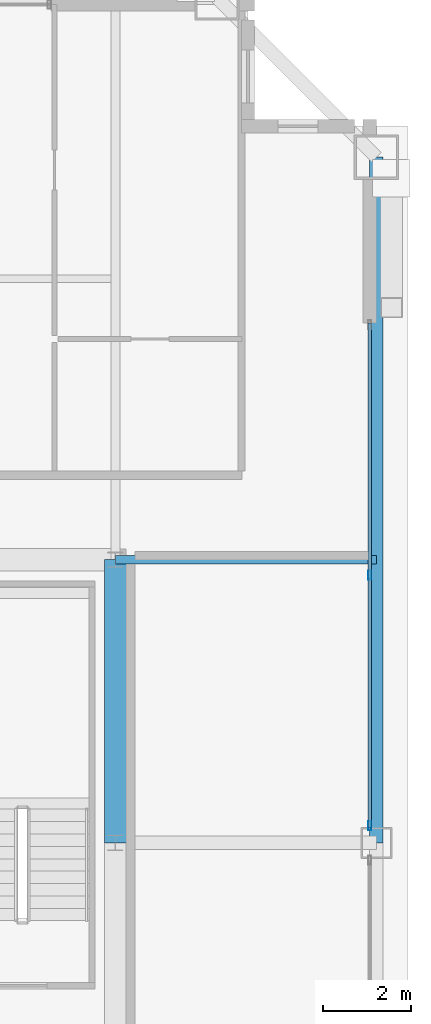
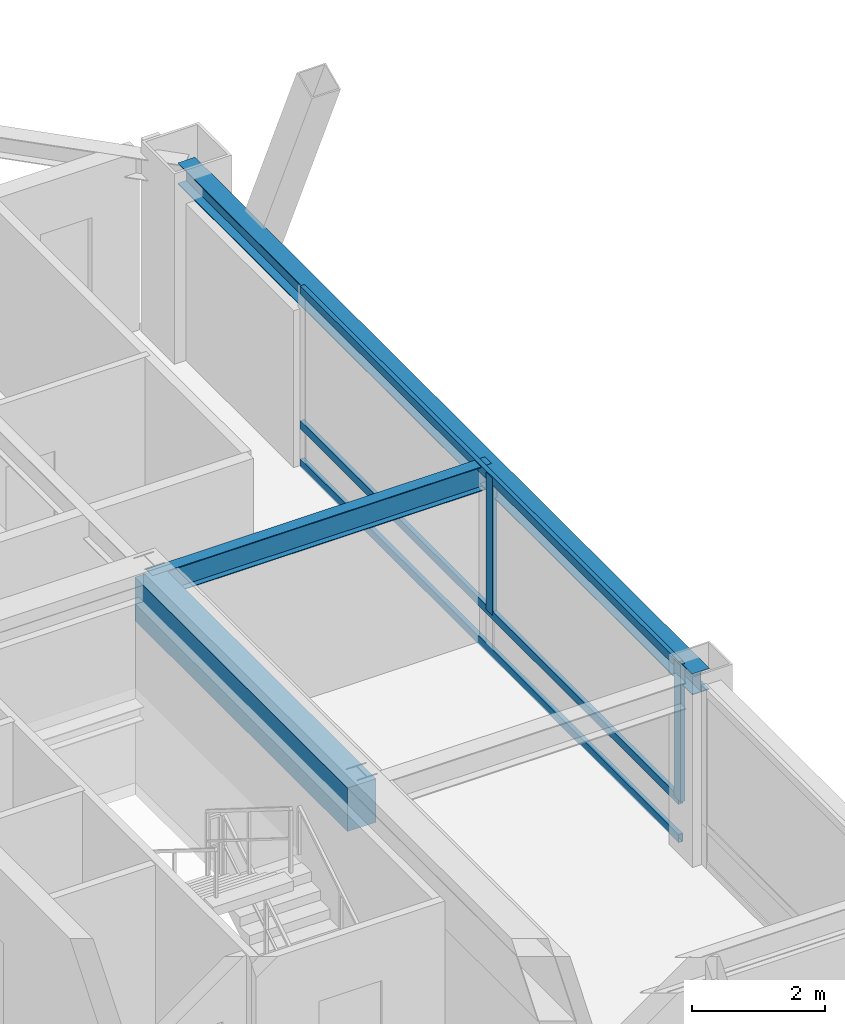
# One storey, part 14 of 35: 5 members, 3 beams, 1 element without a shape of its own.
"""IFC4 building model written with IfcOpenShell, lengths in metres."""

import ifcopenshell
import ifcopenshell.guid

model = None  # the IFC model being written
_history = None  # IfcOwnerHistory: only IFC2X3 demands one
_inside = {}  # id of a spatial element -> (the spatial element, [elements in it])
_under = {}  # id of a project, library or spatial element -> (it, [spatial elements below it])
_declared = {}  # id of a project -> (the project, [libraries it declares])
_typed = {}  # id of a type object -> (the type object, [elements of that type])
_made_of = {}  # id of a material, layer set ... -> (it, [elements and type objects made of it])


def new_model(schema):
    """Start an empty IFC model of exactly this schema.

    Asked for "IFC4X3", IfcOpenShell would pick the latest addendum, in which some entities
    have other attributes; the version numbers below select the first issue.
    IFC2X3 requires an IfcOwnerHistory on every rooted entity: one is made here for all.
    """
    global model, _history
    if schema == "IFC4X3":
        model = ifcopenshell.file(schema_version=(4, 3, 0, 0))
    else:
        model = ifcopenshell.file(schema=schema)
    _inside.clear()
    _under.clear()
    _declared.clear()
    _typed.clear()
    _made_of.clear()
    _history = None
    if model.schema == "IFC2X3":
        org = make("IfcOrganization", Name="unknown")
        user = make(
            "IfcPersonAndOrganization",
            ThePerson=make("IfcPerson", FamilyName="unknown"),
            TheOrganization=org,
        )
        app = make(
            "IfcApplication",
            ApplicationDeveloper=org,
            Version="unknown",
            ApplicationFullName="unknown",
            ApplicationIdentifier="unknown",
        )
        _history = make(
            "IfcOwnerHistory",
            OwningUser=user,
            OwningApplication=app,
            ChangeAction="ADDED",
            CreationDate=0,
        )
    return model


def make(cls, **values):
    """One entity of the class cls with the attributes given. An attribute that is None is left unset."""
    return model.create_entity(
        cls, **{name: value for name, value in values.items() if value is not None}
    )


def rooted(cls, **values):
    """An entity with a GlobalId (a new one), such as an element, a storey or a relation."""
    return make(cls, GlobalId=ifcopenshell.guid.new(), OwnerHistory=_history, **values)


def si_unit(unit_type, name, prefix=None):
    """IfcSIUnit, for example si_unit("LENGTHUNIT", "METRE", prefix="MILLI")."""
    return make("IfcSIUnit", UnitType=unit_type, Prefix=prefix, Name=name)


def assignment(units):
    """IfcUnitAssignment: the units of a project."""
    return None if units is None else make("IfcUnitAssignment", Units=units)


def point(xyz):
    """IfcCartesianPoint."""
    return None if xyz is None else make("IfcCartesianPoint", Coordinates=xyz)


def direction(xyz):
    """IfcDirection."""
    return None if xyz is None else make("IfcDirection", DirectionRatios=xyz)


def frame(location, z_axis=None, x_axis=None):
    """IfcAxis2Placement3D, a coordinate frame: its origin and axes. An axis left out is left unset."""
    return make(
        "IfcAxis2Placement3D",
        Location=point(location),
        Axis=direction(z_axis),
        RefDirection=direction(x_axis),
    )


def frame_2d(location, x_axis=None):
    """IfcAxis2Placement2D, a coordinate frame in the plane: its origin and x axis."""
    return make(
        "IfcAxis2Placement2D", Location=point(location), RefDirection=direction(x_axis)
    )


def origin():
    """The frame at (0, 0, 0) with its axes left unset."""
    return frame((0.0, 0.0, 0.0))


def origin_2d():
    """The frame at (0, 0) in the plane with its x axis left unset."""
    return frame_2d((0.0, 0.0))


def place(relative_to, where):
    """IfcLocalPlacement: puts the frame where relative to a parent placement (None: the world)."""
    return make(
        "IfcLocalPlacement", PlacementRelTo=relative_to, RelativePlacement=where
    )


def context(
    kind, dimensions, precision=None, world=None, true_north=None, identifier=None
):
    """IfcGeometricRepresentationContext, for example the 3D "Model" context."""
    return make(
        "IfcGeometricRepresentationContext",
        ContextIdentifier=identifier,
        ContextType=kind,
        CoordinateSpaceDimension=dimensions,
        Precision=precision,
        WorldCoordinateSystem=world,
        TrueNorth=true_north,
    )


def subcontext(parent, identifier, kind, view, scale=None):
    """IfcGeometricRepresentationSubContext, for example "Body" below "Model"."""
    return make(
        "IfcGeometricRepresentationSubContext",
        ContextIdentifier=identifier,
        ContextType=kind,
        ParentContext=parent,
        TargetScale=scale,
        TargetView=view,
    )


def project(units=None, contexts=None):
    """IfcProject with its units and contexts."""
    return rooted(
        "IfcProject",
        Name="project",
        RepresentationContexts=contexts,
        UnitsInContext=assignment(units),
    )


def spatial(cls, under=None, at=None, **own):
    """A site, building, storey or space (cls), placed at a placement, below another one or the project."""
    s = rooted(cls, ObjectPlacement=at, **own)
    if under is not None:
        _under.setdefault(under.id(), (under, []))[1].append(s)
    return s


def profile(cls, at=None, kind="AREA", **sizes):
    """A parametric profile (cls). Its sizes go by their IFC names, for example OverallWidth=200.0."""
    return make(cls, ProfileType=kind, Position=at, **sizes)


def rectangle(**sizes):
    """IfcRectangleProfileDef."""
    return profile("IfcRectangleProfileDef", **sizes)


def hollow_rectangle(**sizes):
    """IfcRectangleHollowProfileDef."""
    return profile("IfcRectangleHollowProfileDef", **sizes)


def i_section(**sizes):
    """IfcIShapeProfileDef."""
    return profile("IfcIShapeProfileDef", **sizes)


def extrude(swept, where, along, depth):
    """IfcExtrudedAreaSolid: the profile swept, set in the frame where, extruded along a direction by depth."""
    return make(
        "IfcExtrudedAreaSolid",
        SweptArea=swept,
        Position=where,
        ExtrudedDirection=direction(along),
        Depth=depth,
    )


def shape(context_of_items, identifier, shape_type, items):
    """IfcShapeRepresentation: the items that make up one representation, for example the "Body"."""
    return make(
        "IfcShapeRepresentation",
        ContextOfItems=context_of_items,
        RepresentationIdentifier=identifier,
        RepresentationType=shape_type,
        Items=items,
    )


def source(mapping_origin, context_of_items, identifier, shape_type, items):
    """IfcRepresentationMap: a shape defined once, which mapped items show again and again."""
    return make(
        "IfcRepresentationMap",
        MappingOrigin=mapping_origin,
        MappedRepresentation=shape(context_of_items, identifier, shape_type, items),
    )


def transform(
    local_origin,
    x_axis=None,
    y_axis=None,
    z_axis=None,
    scale=None,
    scale2=None,
    scale3=None,
    uniform=True,
):
    """IfcCartesianTransformationOperator3D, or its non-uniform kind. x_axis, y_axis, z_axis: its Axis1, 2, 3."""
    if uniform:
        return make(
            "IfcCartesianTransformationOperator3D",
            Axis1=direction(x_axis),
            Axis2=direction(y_axis),
            LocalOrigin=point(local_origin),
            Scale=scale,
            Axis3=direction(z_axis),
        )
    return make(
        "IfcCartesianTransformationOperator3DnonUniform",
        Axis1=direction(x_axis),
        Axis2=direction(y_axis),
        LocalOrigin=point(local_origin),
        Scale=scale,
        Axis3=direction(z_axis),
        Scale2=scale2,
        Scale3=scale3,
    )


def mapped(mapping_source, mapping_target):
    """IfcMappedItem: shows the shape of a source again, moved by a transform."""
    return make(
        "IfcMappedItem", MappingSource=mapping_source, MappingTarget=mapping_target
    )


def material(Name=None, Category=None):
    """IfcMaterial."""
    return make("IfcMaterial", Name=Name, Category=Category)


def layer(
    of_material, thickness, ventilated=None, Name=None, Category=None, Priority=None
):
    """IfcMaterialLayer: one layer of a wall or slab, of a material (None: an air gap)."""
    return make(
        "IfcMaterialLayer",
        Material=of_material,
        LayerThickness=thickness,
        IsVentilated=ventilated,
        Name=Name,
        Category=Category,
        Priority=Priority,
    )


def layer_set(layers, Name=None):
    """IfcMaterialLayerSet."""
    return make("IfcMaterialLayerSet", MaterialLayers=layers, LayerSetName=Name)


def material_profile(
    of_material, cross_section, Name=None, Category=None, Priority=None
):
    """IfcMaterialProfile: a cross section and its material."""
    return make(
        "IfcMaterialProfile",
        Name=Name,
        Material=of_material,
        Profile=cross_section,
        Priority=Priority,
        Category=Category,
    )


def profile_set(profiles, Name=None, composite=None):
    """IfcMaterialProfileSet."""
    return make(
        "IfcMaterialProfileSet",
        Name=Name,
        MaterialProfiles=profiles,
        CompositeProfile=composite,
    )


def made_of(thing, what):
    """Note that an element or type object is made of a material, layer set ...; save() writes the relation."""
    if what is not None:
        _made_of.setdefault(what.id(), (what, []))[1].append(thing)
    return thing


def type_object(cls, material=None, **own):
    """A type object (cls), such as IfcWallType, which elements share."""
    return made_of(rooted(cls, **own), material)


def element(
    cls,
    number,
    at=None,
    inside=None,
    cuts=None,
    type_object=None,
    material=None,
    context=None,
    identifier="Body",
    shape_type=None,
    held_by="IfcProductDefinitionShape",
    body=None,
    shapes=None,
    **own,
):
    """One element of the class cls, such as IfcWall. Its Tag is "e" and its number.

    at: its placement. inside: the storey or other place that contains it. cuts: it is an
    opening in that element (IfcRelVoidsElement). A single representation is given by context,
    identifier, shape_type and body (its items); several are given by shapes. held_by: the class
    of the entity that holds the representations. save() writes the other relations.
    """
    e = rooted(cls, Tag="e%d" % number, ObjectPlacement=at, **own)
    if body is not None:
        shapes = [shape(context, identifier, shape_type, body)]
    if shapes is not None:
        e.Representation = make(held_by, Representations=shapes)
    if inside is not None:
        _inside.setdefault(inside.id(), (inside, []))[1].append(e)
    if cuts is not None:
        rooted(
            "IfcRelVoidsElement", RelatingBuildingElement=cuts, RelatedOpeningElement=e
        )
    if type_object is not None:
        _typed.setdefault(type_object.id(), (type_object, []))[1].append(e)
    return made_of(e, material)


def aggregate(whole, parts):
    """IfcRelAggregates: a whole, such as a stair, and the parts it consists of."""
    return rooted("IfcRelAggregates", RelatingObject=whole, RelatedObjects=parts)


def save(model, path):
    """Write the relations noted so far, then the file.

    IfcRelAggregates (storeys below a building ...), IfcRelContainedInSpatialStructure (elements
    in a storey), IfcRelDefinesByType, IfcRelAssociatesMaterial and IfcRelDeclares: one each for
    every whole, place, type object, material and project.
    """
    for whole, parts in _under.values():
        aggregate(whole, parts)
    for where, things in _inside.values():
        rooted(
            "IfcRelContainedInSpatialStructure",
            RelatedElements=things,
            RelatingStructure=where,
        )
    for kind, things in _typed.values():
        rooted("IfcRelDefinesByType", RelatedObjects=things, RelatingType=kind)
    for what, things in _made_of.values():
        rooted("IfcRelAssociatesMaterial", RelatedObjects=things, RelatingMaterial=what)
    for by, libraries in _declared.values():
        rooted("IfcRelDeclares", RelatingContext=by, RelatedDefinitions=libraries)
    model.write(path)


model = new_model("IFC4")

# Units and contexts
model_context = context("Model", 3, precision=1e-05, world=origin(), true_north=direction((0.0, 1.0)))
body_context = subcontext(model_context, "Body", "Model", "MODEL_VIEW")
ifc_project = project(units=[si_unit("LENGTHUNIT", "METRE"), si_unit("AREAUNIT", "SQUARE_METRE"), si_unit("VOLUMEUNIT", "CUBIC_METRE"), si_unit("PLANEANGLEUNIT", "RADIAN"), si_unit("MASSUNIT", "GRAM", prefix="KILO"), si_unit("THERMODYNAMICTEMPERATUREUNIT", "KELVIN"), si_unit("POWERUNIT", "WATT")], contexts=[model_context])

# Site, building, storey
site_placement = place(None, origin())
site = spatial("IfcSite", under=ifc_project, at=site_placement, CompositionType="ELEMENT")
building_placement = place(site_placement, origin())
building = spatial("IfcBuilding", under=site, at=building_placement, Name="Yuzanri Waterfront Tower", CompositionType="ELEMENT")
storey_placement = place(building_placement, frame((0.0, 0.0, 299.60009765625)))
storey = spatial("IfcBuildingStorey", under=building, at=storey_placement, Name="L80", CompositionType="ELEMENT", Elevation=299.60009765625)

# Beams
ifc_material_1 = material(Name="Concrete C50", Category="concrete")
ifc_material_profile_1 = material_profile(ifc_material_1, rectangle(XDim=0.5, YDim=0.800048828125, at=origin_2d()), Name="RC 500x800")
ifc_profile_set_1 = profile_set([ifc_material_profile_1], Name="Concrete C50")
beam_type_1 = type_object("IfcBeamType", Name="Core Coupling Lintel Concrete C50 500x800", PredefinedType="LINTEL", material=ifc_profile_set_1)
shared_shape_1 = source(origin(), body_context, "Body", "SweptSolid", [
    extrude(rectangle(XDim=0.5, YDim=0.800048828125, at=origin_2d()), origin(), (0.0, 0.0, 1.0), 6.39990234375),
])
beam_1_placement = place(storey_placement, frame((50.199951171875, 25.800048828125, 2.8798828125), z_axis=(0.0, 1.0, 0.0), x_axis=(-1.0, 0.0, 0.0)))
element("IfcBeam", 1, at=beam_1_placement, inside=storey, type_object=beam_type_1, Name="L80 Core Tie Beam CE2", PredefinedType="LINTEL", context=body_context, shape_type="MappedRepresentation", body=[
    mapped(shared_shape_1, transform((0.0, 0.0, 0.0), scale=1.0)),
])
ifc_material_2 = material(Name="Steel Q355B", Category="steel")
ifc_material_profile_2 = material_profile(ifc_material_2, i_section(OverallWidth=0.300048828125, OverallDepth=0.389892578125, WebThickness=0.010009765625, FlangeThickness=0.01611328125, at=origin_2d()), Name="HM 390x300x10x16")
ifc_profile_set_2 = profile_set([ifc_material_profile_2], Name="Steel Q355B")
beam_type_2 = type_object("IfcBeamType", Name="Perimeter Spandrel Q355B HM 390x300", PredefinedType="SPANDREL", material=ifc_profile_set_2)
shared_shape_2 = source(origin(), body_context, "Body", "SweptSolid", [
    extrude(i_section(OverallWidth=0.300048828125, OverallDepth=0.389892578125, WebThickness=0.010009765625, FlangeThickness=0.01611328125, at=origin_2d()), origin(), (0.0, 0.0, 1.0), 15.5),
])
beam_2_placement = place(storey_placement, frame((56.10009765625, 25.800048828125, 3.0849609375), z_axis=(0.0, 1.0, 0.0), x_axis=(-1.0, 0.0, 0.0)))
element("IfcBeam", 2, at=beam_2_placement, inside=storey, type_object=beam_type_2, Name="L80 Perimeter Spandrel E2-E3", PredefinedType="SPANDREL", context=body_context, shape_type="MappedRepresentation", body=[
    mapped(shared_shape_2, transform((0.0, 0.0, 0.0), scale=1.0)),
])
ifc_material_3 = material(Name="Steel Q355B", Category="steel")
ifc_material_profile_3 = material_profile(ifc_material_3, i_section(OverallWidth=0.199951171875, OverallDepth=0.449951171875, WebThickness=0.009033203125, FlangeThickness=0.013916015625, at=origin_2d()), Name="HN 450x200x9x14")
ifc_profile_set_3 = profile_set([ifc_material_profile_3], Name="Steel Q355B")
beam_type_3 = type_object("IfcBeamType", Name="Secondary Floor Beam Q355B HN 450x200", PredefinedType="BEAM", material=ifc_profile_set_3)
shared_shape_3 = source(origin(), body_context, "Body", "SweptSolid", [
    extrude(i_section(OverallWidth=0.199951171875, OverallDepth=0.449951171875, WebThickness=0.009033203125, FlangeThickness=0.013916015625, at=origin_2d()), origin(), (0.0, 0.0, 1.0), 5.900146484375),
])
beam_3_placement = place(storey_placement, frame((50.199951171875, 32.199951171875, 3.054931640625), z_axis=(1.0, 0.0, 0.0), x_axis=(0.0, 1.0, 0.0)))
element("IfcBeam", 3, at=beam_3_placement, inside=storey, type_object=beam_type_3, Name="L80 East-North Core Line Beam", PredefinedType="BEAM", context=body_context, shape_type="MappedRepresentation", body=[
    mapped(shared_shape_3, transform((0.0, 0.0, 0.0), scale=1.0)),
])

# Curtain wall, members
ifc_material_4 = material(Name="Anodized Architectural Bronze", Category="metal")
ifc_layer = layer(ifc_material_4, 0.159912109375)
ifc_layer_set = layer_set([ifc_layer], Name="Anodized Architectural Bronze")
curtain_wall_type = type_object("IfcCurtainWallType", Name="Anodized Bronze High-Rise Penthouse High-Wind Unitized Curtain Wall 6900", PredefinedType="NOTDEFINED", material=ifc_layer_set)
curtain_wall_placement = place(storey_placement, origin())
curtain_wall = element("IfcCurtainWall", 4, at=curtain_wall_placement, inside=storey, type_object=curtain_wall_type, Name="L80 Curtain Wall CW-L80-ER", PredefinedType="NOTDEFINED")
ifc_material_5 = material(Name="Anodized Architectural Bronze", Category="metal")
ifc_material_profile_4 = material_profile(ifc_material_5, hollow_rectangle(XDim=0.074951171875, YDim=0.199951171875, WallThickness=0.00390625, at=origin_2d()), Name="CWM 75x200")
ifc_profile_set_4 = profile_set([ifc_material_profile_4], Name="Anodized Architectural Bronze")
member_type_1 = type_object("IfcMemberType", Name="Anodized Bronze Primary Curtain-Wall Mullion 75x200", PredefinedType="MULLION", material=ifc_profile_set_4)
shared_shape_4 = source(origin(), body_context, "Body", "SweptSolid", [
    extrude(hollow_rectangle(XDim=0.074951171875, YDim=0.199951171875, WallThickness=0.00390625, at=origin_2d()), origin(), (0.0, 0.0, 1.0), 2.52392578125),
])
member_1_placement = place(storey_placement, frame((55.949951171875, 26.18994140625, 0.755859375), z_axis=(0.0, 0.0, 1.0), x_axis=(1.0, 0.0, 0.0)))
member_1 = element("IfcMember", 5, at=member_1_placement, type_object=member_type_1, Name="CW-L80-ER Upper Mullion 00", PredefinedType="MULLION", context=body_context, shape_type="MappedRepresentation", body=[
    mapped(shared_shape_4, transform((0.0, 0.0, 0.0), scale=1.0)),
])
member_2_placement = place(storey_placement, frame((55.949951171875, 31.85009765625, 0.755859375), z_axis=(0.0, 0.0, 1.0), x_axis=(1.0, 0.0, 0.0)))
member_2 = element("IfcMember", 6, at=member_2_placement, type_object=member_type_1, Name="CW-L80-ER Upper Mullion 01", PredefinedType="MULLION", context=body_context, shape_type="MappedRepresentation", body=[
    mapped(shared_shape_4, transform((0.0, 0.0, 0.0), scale=1.0)),
])
ifc_material_6 = material(Name="Anodized Architectural Bronze", Category="metal")
ifc_material_profile_5 = material_profile(ifc_material_6, hollow_rectangle(XDim=0.074951171875, YDim=0.14990234375, WallThickness=0.00390625, at=origin_2d()), Name="CWT 75x150")
ifc_profile_set_5 = profile_set([ifc_material_profile_5], Name="Anodized Architectural Bronze")
member_type_2 = type_object("IfcMemberType", Name="Anodized Bronze Primary Curtain-Wall Transom 75x150", PredefinedType="USERDEFINED", material=ifc_profile_set_5)
shared_shape_5 = source(origin(), body_context, "Body", "SweptSolid", [
    extrude(hollow_rectangle(XDim=0.074951171875, YDim=0.14990234375, WallThickness=0.00390625, at=origin_2d()), origin(), (0.0, 0.0, 1.0), 11.400146484375),
])
member_3_placement = place(storey_placement, frame((55.949951171875, 26.14990234375, 0.0498046875), z_axis=(0.0, 1.0, 0.0), x_axis=(-1.0, 0.0, 0.0)))
member_3 = element("IfcMember", 7, at=member_3_placement, type_object=member_type_2, Name="CW-L80-ER Transom 1", ObjectType="TRANSOM", PredefinedType="USERDEFINED", context=body_context, shape_type="MappedRepresentation", body=[
    mapped(shared_shape_5, transform((0.0, 0.0, 0.0), scale=1.0)),
])
member_4_placement = place(storey_placement, frame((55.949951171875, 26.14990234375, 0.75390625), z_axis=(0.0, 1.0, 0.0), x_axis=(-1.0, 0.0, 0.0)))
member_4 = element("IfcMember", 8, at=member_4_placement, type_object=member_type_2, Name="CW-L80-ER Transom 2", ObjectType="TRANSOM", PredefinedType="USERDEFINED", context=body_context, shape_type="MappedRepresentation", body=[
    mapped(shared_shape_5, transform((0.0, 0.0, 0.0), scale=1.0)),
])
member_5_placement = place(storey_placement, frame((55.949951171875, 26.14990234375, 3.22998046875), z_axis=(0.0, 1.0, 0.0), x_axis=(-1.0, 0.0, 0.0)))
member_5 = element("IfcMember", 9, at=member_5_placement, type_object=member_type_2, Name="CW-L80-ER Transom 3", ObjectType="TRANSOM", PredefinedType="USERDEFINED", context=body_context, shape_type="MappedRepresentation", body=[
    mapped(shared_shape_5, transform((0.0, 0.0, 0.0), scale=1.0)),
])
aggregate(curtain_wall, [member_1, member_2, member_3, member_4, member_5])

save(model, "model.ifc")
